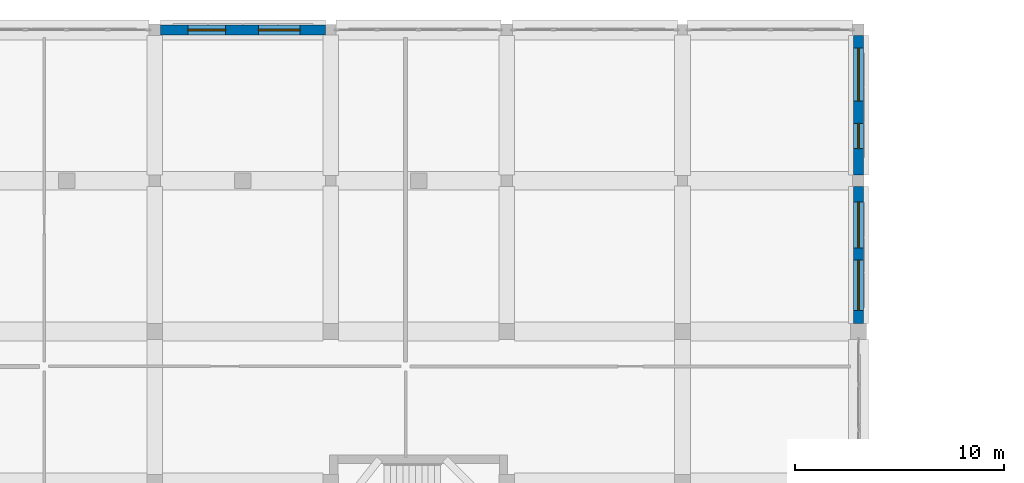
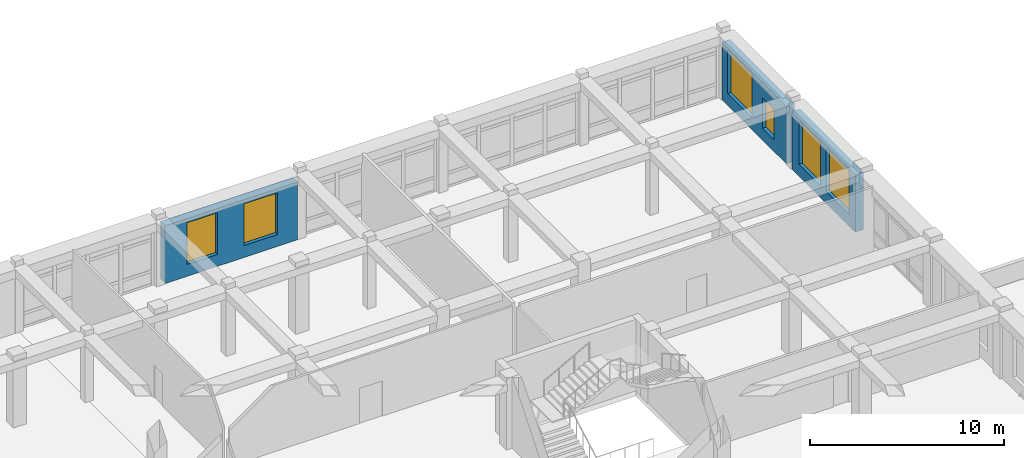
# One storey, part 85 of 121: 6 windows, 3 walls, 6 openings.
"""IFC4 building model written with IfcOpenShell, lengths in metres."""

from ifc_helpers import new_model, si_unit, derived_unit, direction, frame, frame_2d, origin, place, context, subcontext, project, spatial, rectangle, extrude, material, layer, layer_set, type_object, element, fill, save


model = new_model("IFC4")

# Units and contexts
model_context = context("Model", 3, precision=1e-05, world=origin(), true_north=direction((0.0, 1.0)))
body_context = subcontext(model_context, "Body", "Model", "MODEL_VIEW")
ifc_project = project(units=[si_unit("LENGTHUNIT", "METRE"), si_unit("AREAUNIT", "SQUARE_METRE"), si_unit("VOLUMEUNIT", "CUBIC_METRE"), si_unit("PLANEANGLEUNIT", "RADIAN"), si_unit("MASSUNIT", "GRAM", prefix="KILO"), derived_unit("THERMALTRANSMITTANCEUNIT", [(si_unit("POWERUNIT", "WATT"), 1), (si_unit("LENGTHUNIT", "METRE"), -2), (si_unit("THERMODYNAMICTEMPERATUREUNIT", "KELVIN"), -1)])], contexts=[model_context])

# Site, building, storey
site_placement = place(None, origin())
site = spatial("IfcSite", under=ifc_project, at=site_placement, CompositionType="ELEMENT")
building_placement = place(site_placement, origin())
building = spatial("IfcBuilding", under=site, at=building_placement, Name="Veybourne Emporium", CompositionType="ELEMENT")
storey_placement = place(building_placement, frame((0.0, 0.0, 5.39990234375)))
storey = spatial("IfcBuildingStorey", under=building, at=storey_placement, Name="L01", CompositionType="ELEMENT", Elevation=5.39990234375)

# Wall, openings, windows
ifc_material_1 = material(Name="Portland Limestone Ashlar", Category="masonry")
ifc_layer = layer(ifc_material_1, 0.47998046875)
ifc_layer_set = layer_set([ifc_layer], Name="Portland Limestone Ashlar")
wall_type = type_object("IfcWallType", Name="ExtWall_EW-01", PredefinedType="SOLIDWALL", material=ifc_layer_set)
wall_1_placement = place(storey_placement, frame((67.47509765625, 115.199951171875, 0.0), z_axis=(0.0, 0.0, 1.0), x_axis=(1.0, 0.0, 0.0)))
wall_1 = element("IfcWall", 1, at=wall_1_placement, inside=storey, type_object=wall_type, Name="L01 Portland stone external wall 040", PredefinedType="SOLIDWALL", context=body_context, shape_type="SweptSolid", body=[
    extrude(rectangle(XDim=7.875, YDim=0.47998046875, at=frame_2d((3.9375, 0.0))), origin(), (0.0, 0.0, 1.0), 3.630126953125),
])
opening_1_placement = place(wall_1_placement, frame((1.304931640625, 0.0, 0.75)))
opening_1 = element("IfcOpeningElement", 2, at=opening_1_placement, cuts=wall_1, Name="Opening W-36", PredefinedType="OPENING", context=body_context, shape_type="SweptSolid", body=[
    extrude(rectangle(XDim=1.800048828125, YDim=2.6201171875, at=frame_2d((0.89990234375, 1.31005859375))), frame((0.0, 0.260009765625, 0.0), z_axis=(0.0, -1.0, 0.0), x_axis=(1.0, 0.0, 0.0)), (0.0, 0.0, 1.0), 0.52001953125),
])
opening_2_placement = place(wall_1_placement, frame((4.669921875, 0.0, 0.75)))
opening_2 = element("IfcOpeningElement", 3, at=opening_2_placement, cuts=wall_1, Name="Opening W-37", PredefinedType="OPENING", context=body_context, shape_type="SweptSolid", body=[
    extrude(rectangle(XDim=2.0, YDim=2.6201171875, at=frame_2d((1.0, 1.31005859375))), frame((0.0, 0.260009765625, 0.0), z_axis=(0.0, -1.0, 0.0), x_axis=(1.0, 0.0, 0.0)), (0.0, 0.0, 1.0), 0.52001953125),
])
ifc_material_2 = material(Name="Low-E Triple Glazing", Category="glass")
window_type_1 = type_object("IfcWindowType", Name="Win_W-36", PartitioningType="DOUBLE_PANEL_VERTICAL", PredefinedType="WINDOW", material=ifc_material_2)
window_1_placement = place(opening_1_placement, origin())
window_1 = element("IfcWindow", 4, at=window_1_placement, inside=storey, type_object=window_type_1, Name="L01 tripartite bronze casement window W-36 (40.1)", OverallHeight=2.6201171875, OverallWidth=1.800048828125, PartitioningType="DOUBLE_PANEL_VERTICAL", PredefinedType="WINDOW", context=body_context, shape_type="SweptSolid", body=[
    extrude(rectangle(XDim=1.800048828125, YDim=2.6201171875, at=frame_2d((0.89990234375, 1.31005859375))), frame((0.0, 0.030029296875, 0.0), z_axis=(0.0, -1.0, 0.0), x_axis=(1.0, 0.0, 0.0)), (0.0, 0.0, 1.0), 0.06005859375),
])
fill(opening_1, window_1)
window_type_2 = type_object("IfcWindowType", Name="Win_W-37", PartitioningType="TRIPLE_PANEL_VERTICAL", PredefinedType="WINDOW", material=ifc_material_2)
window_2_placement = place(opening_2_placement, origin())
window_2 = element("IfcWindow", 5, at=window_2_placement, inside=storey, type_object=window_type_2, Name="L01 tripartite bronze casement window W-37 (40.2)", OverallHeight=2.6201171875, OverallWidth=2.0, PartitioningType="TRIPLE_PANEL_VERTICAL", PredefinedType="WINDOW", context=body_context, shape_type="SweptSolid", body=[
    extrude(rectangle(XDim=2.0, YDim=2.6201171875, at=frame_2d((1.0, 1.31005859375))), frame((0.0, 0.030029296875, 0.0), z_axis=(0.0, -1.0, 0.0), x_axis=(1.0, 0.0, 0.0)), (0.0, 0.0, 1.0), 0.06005859375),
])
fill(opening_2, window_2)

wall_2_placement = place(storey_placement, frame((100.800048828125, 107.72509765625, 0.0), z_axis=(0.0, 0.0, 1.0), x_axis=(0.0, -1.0, 0.0)))
wall_2 = element("IfcWall", 6, at=wall_2_placement, inside=storey, type_object=wall_type, Name="L01 Portland stone external wall 058", PredefinedType="SOLIDWALL", context=body_context, shape_type="SweptSolid", body=[
    extrude(rectangle(XDim=6.550048828125, YDim=0.47998046875, at=frame_2d((3.27490234375, 0.0))), origin(), (0.0, 0.0, 1.0), 3.630126953125),
])
opening_3_placement = place(wall_2_placement, frame((0.73388671875, 0.0, 0.75)))
opening_3 = element("IfcOpeningElement", 7, at=opening_3_placement, cuts=wall_2, Name="Opening W-54", PredefinedType="OPENING", context=body_context, shape_type="SweptSolid", body=[
    extrude(rectangle(XDim=2.199951171875, YDim=2.72998046875, at=frame_2d((1.10009765625, 1.364990234375))), frame((0.0, 0.260009765625, 0.0), z_axis=(0.0, -1.0, 0.0), x_axis=(1.0, 0.0, 0.0)), (0.0, 0.0, 1.0), 0.52001953125),
])
opening_4_placement = place(wall_2_placement, frame((3.51611328125, 0.0, 0.75)))
opening_4 = element("IfcOpeningElement", 8, at=opening_4_placement, cuts=wall_2, Name="Opening W-55", PredefinedType="OPENING", context=body_context, shape_type="SweptSolid", body=[
    extrude(rectangle(XDim=2.39990234375, YDim=2.72998046875, at=frame_2d((1.199951171875, 1.364990234375))), frame((0.0, 0.260009765625, 0.0), z_axis=(0.0, -1.0, 0.0), x_axis=(1.0, 0.0, 0.0)), (0.0, 0.0, 1.0), 0.52001953125),
])
window_type_3 = type_object("IfcWindowType", Name="Win_W-54", PartitioningType="TRIPLE_PANEL_VERTICAL", PredefinedType="WINDOW", material=ifc_material_2)
window_3_placement = place(opening_3_placement, origin())
window_3 = element("IfcWindow", 9, at=window_3_placement, inside=storey, type_object=window_type_3, Name="L01 tripartite bronze casement window W-54 (58.1)", OverallHeight=2.72998046875, OverallWidth=2.199951171875, PartitioningType="TRIPLE_PANEL_VERTICAL", PredefinedType="WINDOW", context=body_context, shape_type="SweptSolid", body=[
    extrude(rectangle(XDim=2.199951171875, YDim=2.72998046875, at=frame_2d((1.10009765625, 1.364990234375))), frame((0.0, 0.030029296875, 0.0), z_axis=(0.0, -1.0, 0.0), x_axis=(1.0, 0.0, 0.0)), (0.0, 0.0, 1.0), 0.06005859375),
])
fill(opening_3, window_3)
window_type_4 = type_object("IfcWindowType", Name="Win_W-55", PartitioningType="TRIPLE_PANEL_VERTICAL", PredefinedType="WINDOW", material=ifc_material_2)
window_4_placement = place(opening_4_placement, origin())
window_4 = element("IfcWindow", 10, at=window_4_placement, inside=storey, type_object=window_type_4, Name="L01 tripartite bronze casement window W-55 (58.2)", OverallHeight=2.72998046875, OverallWidth=2.39990234375, PartitioningType="TRIPLE_PANEL_VERTICAL", PredefinedType="WINDOW", context=body_context, shape_type="SweptSolid", body=[
    extrude(rectangle(XDim=2.39990234375, YDim=2.72998046875, at=frame_2d((1.199951171875, 1.364990234375))), frame((0.0, 0.030029296875, 0.0), z_axis=(0.0, -1.0, 0.0), x_axis=(1.0, 0.0, 0.0)), (0.0, 0.0, 1.0), 0.06005859375),
])
fill(opening_4, window_4)

wall_3_placement = place(storey_placement, frame((100.800048828125, 114.925048828125, 0.0), z_axis=(0.0, 0.0, 1.0), x_axis=(0.0, -1.0, 0.0)))
wall_3 = element("IfcWall", 11, at=wall_3_placement, inside=storey, type_object=wall_type, Name="L01 Portland stone external wall 059", PredefinedType="SOLIDWALL", context=body_context, shape_type="SweptSolid", body=[
    extrude(rectangle(XDim=6.650146484375, YDim=0.47998046875, at=frame_2d((3.3251953125, 0.0))), origin(), (0.0, 0.0, 1.0), 3.630126953125),
])
opening_5_placement = place(wall_3_placement, frame((0.596923828125, 0.0, 0.75)))
opening_5 = element("IfcOpeningElement", 12, at=opening_5_placement, cuts=wall_3, Name="Opening W-56", PredefinedType="OPENING", context=body_context, shape_type="SweptSolid", body=[
    extrude(rectangle(XDim=2.530029296875, YDim=2.72998046875, at=frame_2d((1.26513671875, 1.364990234375))), frame((0.0, 0.260009765625, 0.0), z_axis=(0.0, -1.0, 0.0), x_axis=(1.0, 0.0, 0.0)), (0.0, 0.0, 1.0), 0.52001953125),
])
opening_6_placement = place(wall_3_placement, frame((4.18798828125, 0.0, 0.75)))
opening_6 = element("IfcOpeningElement", 13, at=opening_6_placement, cuts=wall_3, Name="Opening W-01", PredefinedType="OPENING", context=body_context, shape_type="SweptSolid", body=[
    extrude(rectangle(XDim=1.199951171875, YDim=1.89990234375, at=frame_2d((0.60009765625, 0.949951171875))), frame((0.0, 0.260009765625, 0.0), z_axis=(0.0, -1.0, 0.0), x_axis=(1.0, 0.0, 0.0)), (0.0, 0.0, 1.0), 0.52001953125),
])
window_type_5 = type_object("IfcWindowType", Name="Win_W-01", PartitioningType="SINGLE_PANEL", PredefinedType="WINDOW", material=ifc_material_2)
window_5_placement = place(opening_6_placement, origin())
window_5 = element("IfcWindow", 14, at=window_5_placement, inside=storey, type_object=window_type_5, Name="L01 tripartite bronze casement window W-01 (59.2)", OverallHeight=1.89990234375, OverallWidth=1.199951171875, PartitioningType="SINGLE_PANEL", PredefinedType="WINDOW", context=body_context, shape_type="SweptSolid", body=[
    extrude(rectangle(XDim=1.199951171875, YDim=1.89990234375, at=frame_2d((0.60009765625, 0.949951171875))), frame((0.0, 0.030029296875, 0.0), z_axis=(0.0, -1.0, 0.0), x_axis=(1.0, 0.0, 0.0)), (0.0, 0.0, 1.0), 0.06005859375),
])
fill(opening_6, window_5)
window_type_6 = type_object("IfcWindowType", Name="Win_W-56", PartitioningType="TRIPLE_PANEL_VERTICAL", PredefinedType="WINDOW", material=ifc_material_2)
window_6_placement = place(opening_5_placement, origin())
window_6 = element("IfcWindow", 15, at=window_6_placement, inside=storey, type_object=window_type_6, Name="L01 tripartite bronze casement window W-56 (59.1)", OverallHeight=2.72998046875, OverallWidth=2.530029296875, PartitioningType="TRIPLE_PANEL_VERTICAL", PredefinedType="WINDOW", context=body_context, shape_type="SweptSolid", body=[
    extrude(rectangle(XDim=2.530029296875, YDim=2.72998046875, at=frame_2d((1.26513671875, 1.364990234375))), frame((0.0, 0.030029296875, 0.0), z_axis=(0.0, -1.0, 0.0), x_axis=(1.0, 0.0, 0.0)), (0.0, 0.0, 1.0), 0.06005859375),
])
fill(opening_5, window_6)

save(model, "model.ifc")
